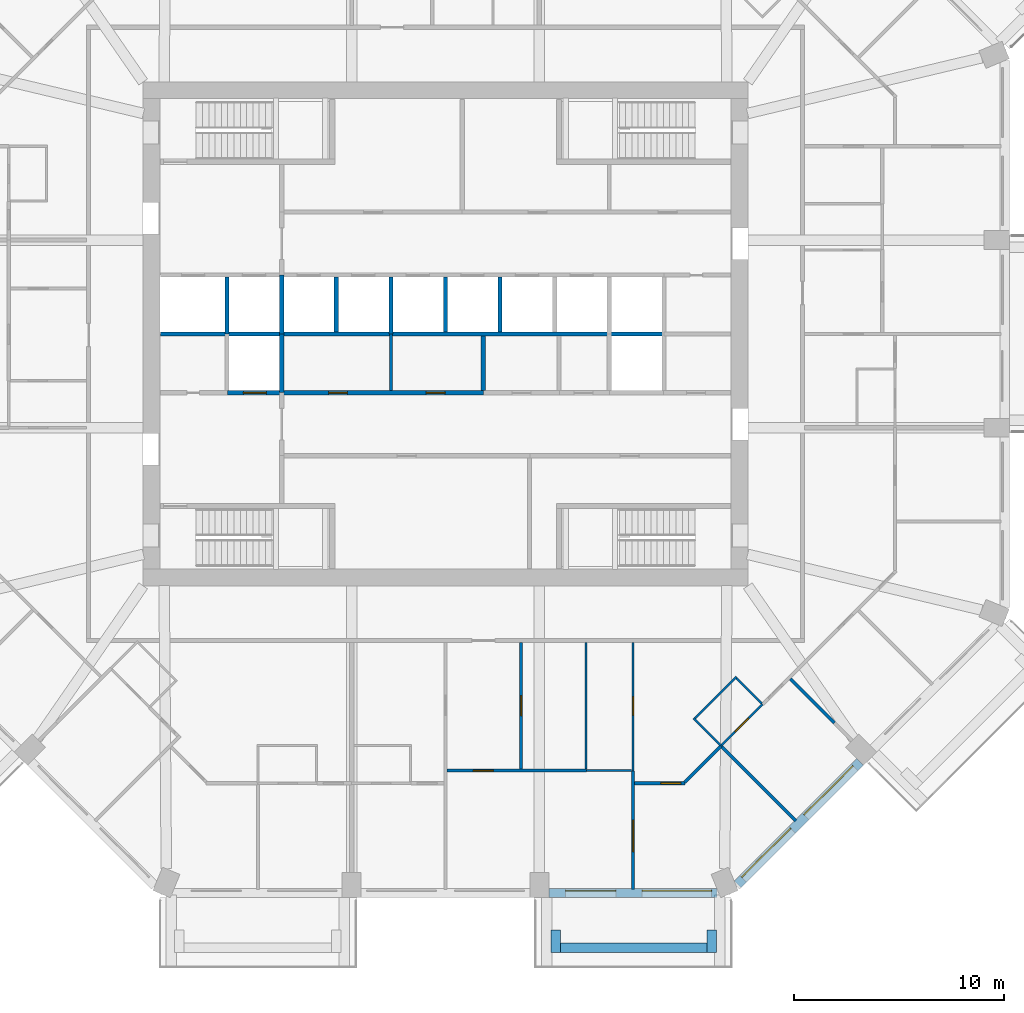
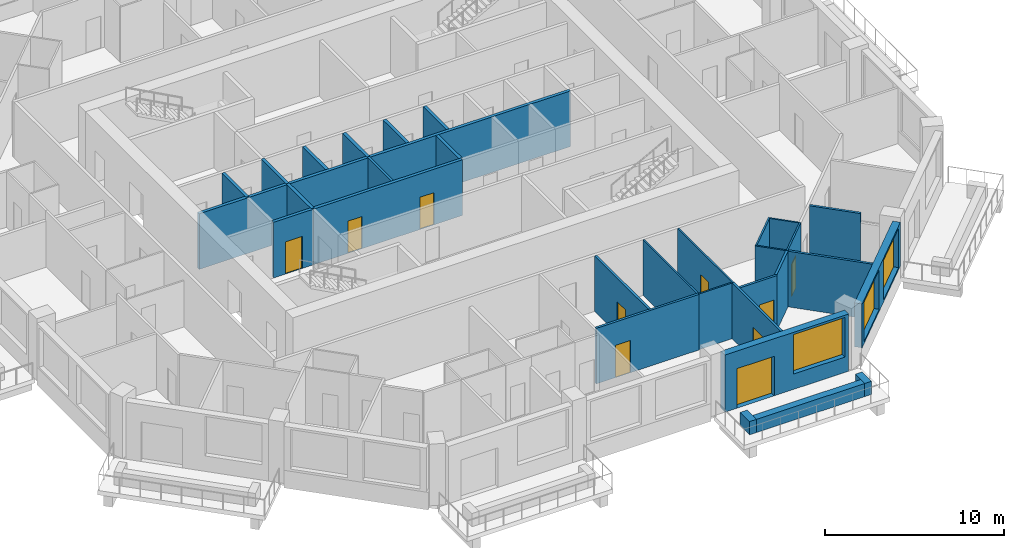
# One storey, part 5 of 13: 31 walls, 10 doors, 3 windows, 13 openings.
"""IFC4 building model written with IfcOpenShell, lengths in metres."""

from ifc_helpers import new_model, si_unit, direction, frame, frame_2d, origin, place, context, subcontext, project, spatial, rectangle, extrude, material, layer, layer_set, type_object, element, fill, save


model = new_model("IFC4")

# Units and contexts
model_context = context("Model", 3, precision=1e-05, world=origin(), true_north=direction((0.0, 1.0)))
body_context = subcontext(model_context, "Body", "Model", "MODEL_VIEW")
ifc_project = project(units=[si_unit("LENGTHUNIT", "METRE"), si_unit("AREAUNIT", "SQUARE_METRE"), si_unit("VOLUMEUNIT", "CUBIC_METRE"), si_unit("PLANEANGLEUNIT", "RADIAN"), si_unit("MASSUNIT", "GRAM", prefix="KILO")], contexts=[model_context])

# Site, building, storey
site_placement = place(None, origin())
site = spatial("IfcSite", under=ifc_project, at=site_placement, CompositionType="ELEMENT")
building_placement = place(site_placement, origin())
building = spatial("IfcBuilding", under=site, at=building_placement, Name="Msitu Wima Residences", CompositionType="ELEMENT")
storey_placement = place(building_placement, frame((0.0, 0.0, 148.5)))
storey = spatial("IfcBuildingStorey", under=building, at=storey_placement, Name="L34", CompositionType="ELEMENT", Elevation=148.5)

# Walls
ifc_material_1 = material(Name="Facing brick")
ifc_layer_1 = layer(ifc_material_1, 0.06494140625, Name="Facing brick")
ifc_material_2 = material(Name="Concrete C40/50", Category="concrete")
ifc_layer_2 = layer(ifc_material_2, 0.156005859375, Name="Concrete C40/50")
ifc_material_3 = material(Name="Waterproofing membrane")
ifc_layer_3 = layer(ifc_material_3, 0.00390625, Name="Waterproofing membrane")
ifc_material_4 = material(Name="Planting soil and planting")
ifc_layer_4 = layer(ifc_material_4, 0.22509765625, Name="Planting soil and planting")
ifc_layer_set_1 = layer_set([ifc_layer_1, ifc_layer_2, ifc_layer_3, ifc_layer_4], Name="Concrete C40/50")
wall_type_1 = type_object("IfcWallType", Name="Balcony planter PLANTER PL450", PredefinedType="USERDEFINED", material=ifc_layer_set_1)
wall_1_placement = place(storey_placement, frame((5.468505859375, -29.22509765625, 0.0), z_axis=(0.0, 0.0, 1.0), x_axis=(1.0, 0.0, 0.0)))
element("IfcWall", 1, at=wall_1_placement, inside=storey, type_object=wall_type_1, Name="Balcony planter S2 L34", ObjectType="PLANTER", PredefinedType="USERDEFINED", context=body_context, shape_type="SweptSolid", body=[
    extrude(rectangle(XDim=6.9873046875, YDim=0.449951171875, at=frame_2d((3.49365234375, 0.0))), origin(), (0.0, 0.0, 1.0), 0.89990234375),
])
for number, where, z_axis, x_axis, name in (
    (2, (5.24365234375, -28.39990234375, 0.0), (0.0, 0.0, 1.0), (0.0, -1.0, 0.0), "Balcony planter S2 L34"),
    (3, (12.680908203125, -28.39990234375, 0.0), (0.0, 0.0, 1.0), (0.0, -1.0, 0.0), "Balcony planter S2 L34"),
):
    element("IfcWall", number, at=place(storey_placement, frame(where, z_axis=z_axis, x_axis=x_axis)), inside=storey, type_object=wall_type_1, Name=name, ObjectType="PLANTER", PredefinedType="USERDEFINED", context=body_context, shape_type="SweptSolid", body=[
        extrude(rectangle(XDim=1.050048828125, YDim=0.449951171875, at=frame_2d((0.52490234375, 0.0))), origin(), (0.0, 0.0, 1.0), 0.89990234375),
    ])

# Wall, openings, door, window
ifc_material_5 = material(Name="Brick (red buff mix)", Category="masonry")
ifc_layer_5 = layer(ifc_material_5, 0.449951171875)
ifc_layer_set_2 = layer_set([ifc_layer_5], Name="Brick (red buff mix)")
wall_type_2 = type_object("IfcWallType", Name="Brick infill wall BW450", PredefinedType="SOLIDWALL", material=ifc_layer_set_2)
wall_2_placement = place(storey_placement, frame((4.918701171875, -26.625, 0.0), z_axis=(0.0, 0.0, 1.0), x_axis=(1.0, 0.0, 0.0)))
wall_2 = element("IfcWall", 4, at=wall_2_placement, inside=storey, type_object=wall_type_2, Name="Brick infill wall L34 S2", PredefinedType="SOLIDWALL", context=body_context, shape_type="SweptSolid", body=[
    extrude(rectangle(XDim=8.0, YDim=0.449951171875, at=frame_2d((4.0, 0.0))), origin(), (0.0, 0.0, 1.0), 3.89990234375),
])
opening_1_placement = place(wall_2_placement, frame((0.800048828125, 0.0, 0.0)))
opening_1 = element("IfcOpeningElement", 5, at=opening_1_placement, cuts=wall_2, Name="Opening D34-35.007", PredefinedType="OPENING", context=body_context, shape_type="SweptSolid", body=[
    extrude(rectangle(XDim=2.39990234375, YDim=2.699951171875, at=frame_2d((1.199951171875, 1.35009765625))), frame((0.0, 0.23486328125, 0.0), z_axis=(0.0, -1.0, 0.0), x_axis=(1.0, 0.0, 0.0)), (0.0, 0.0, 1.0), 0.469970703125),
])
opening_2_placement = place(wall_2_placement, frame((4.4501953125, 0.0, 1.050048828125)))
opening_2 = element("IfcOpeningElement", 6, at=opening_2_placement, cuts=wall_2, Name="Opening W34-35.019", PredefinedType="OPENING", context=body_context, shape_type="SweptSolid", body=[
    extrude(rectangle(XDim=3.300048828125, YDim=2.699951171875, at=frame_2d((1.64990234375, 1.35009765625))), frame((0.0, 0.23486328125, 0.0), z_axis=(0.0, -1.0, 0.0), x_axis=(1.0, 0.0, 0.0)), (0.0, 0.0, 1.0), 0.469970703125),
])
ifc_material_6 = material(Name="Anodised aluminium, bronze finish, clear low-emissivity double glazing", Category="aluminium")
door_type_1 = type_object("IfcDoorType", Name="Balcony door D2400x2700", OperationType="SLIDING_TO_LEFT", PredefinedType="DOOR", material=ifc_material_6)
door_1_placement = place(opening_1_placement, origin())
door_1 = element("IfcDoor", 7, at=door_1_placement, inside=storey, type_object=door_type_1, Name="Balcony door L34 S2", OperationType="SINGLE_SWING_LEFT", OverallHeight=2.699951171875, OverallWidth=2.39990234375, PredefinedType="DOOR", context=body_context, shape_type="SweptSolid", body=[
    extrude(rectangle(XDim=2.39990234375, YDim=2.699951171875, at=frame_2d((1.199951171875, 1.35009765625))), frame((0.0, 0.1298828125, 0.0), z_axis=(0.0, -1.0, 0.0), x_axis=(1.0, 0.0, 0.0)), (0.0, 0.0, 1.0), 0.050048828125),
])
fill(opening_1, door_1)
window_type = type_object("IfcWindowType", Name="Window W3300x2700", PartitioningType="DOUBLE_PANEL_VERTICAL", PredefinedType="WINDOW", material=ifc_material_6)
window_1_placement = place(opening_2_placement, origin())
window_1 = element("IfcWindow", 8, at=window_1_placement, inside=storey, type_object=window_type, Name="Window L34 S2.2", OverallHeight=2.699951171875, OverallWidth=3.300048828125, PartitioningType="SINGLE_PANEL", PredefinedType="WINDOW", context=body_context, shape_type="SweptSolid", body=[
    extrude(rectangle(XDim=3.300048828125, YDim=2.699951171875, at=frame_2d((1.64990234375, 1.35009765625))), frame((0.0, 0.135009765625, 0.0), z_axis=(0.0, -1.0, 0.0), x_axis=(1.0, 0.0, 0.0)), (0.0, 0.0, 1.0), 0.06005859375),
])
fill(opening_2, window_1)

# Wall, openings, windows
wall_3_placement = place(storey_placement, frame((13.909423828125, -26.214599609375, 0.89990234375), z_axis=(0.0, 0.0, 1.0), x_axis=(0.707106781187, 0.707106781187, 0.0)))
wall_3 = element("IfcWall", 9, at=wall_3_placement, inside=storey, type_object=wall_type_2, Name="Brick infill wall L34 SE0", PredefinedType="SOLIDWALL", context=body_context, shape_type="SweptSolid", body=[
    extrude(rectangle(XDim=8.251220703125, YDim=0.449951171875, at=frame_2d((4.12548828125, 0.0))), origin(), (0.0, 0.0, 1.0), 3.0),
])
opening_3_placement = place(wall_3_placement, frame((0.37548828125, 0.0, 0.14990234375)))
opening_3 = element("IfcOpeningElement", 10, at=opening_3_placement, cuts=wall_3, Name="Opening W34-35.020", PredefinedType="OPENING", context=body_context, shape_type="SweptSolid", body=[
    extrude(rectangle(XDim=3.300048828125, YDim=2.699951171875, at=frame_2d((1.64990234375, 1.35009765625))), frame((0.0, 0.23486328125, 0.0), z_axis=(0.0, -1.0, 0.0), x_axis=(1.0, 0.0, 0.0)), (0.0, 0.0, 1.0), 0.469970703125),
])
opening_4_placement = place(wall_3_placement, frame((4.57568359375, 0.0, 0.14990234375)))
opening_4 = element("IfcOpeningElement", 11, at=opening_4_placement, cuts=wall_3, Name="Opening W34-35.021", PredefinedType="OPENING", context=body_context, shape_type="SweptSolid", body=[
    extrude(rectangle(XDim=3.300048828125, YDim=2.699951171875, at=frame_2d((1.64990234375, 1.35009765625))), frame((0.0, 0.23486328125, 0.0), z_axis=(0.0, -1.0, 0.0), x_axis=(1.0, 0.0, 0.0)), (0.0, 0.0, 1.0), 0.469970703125),
])
window_2_placement = place(opening_3_placement, origin())
window_2 = element("IfcWindow", 12, at=window_2_placement, inside=storey, type_object=window_type, Name="Window L34 SE0.1", OverallHeight=2.699951171875, OverallWidth=3.300048828125, PartitioningType="SINGLE_PANEL", PredefinedType="WINDOW", context=body_context, shape_type="SweptSolid", body=[
    extrude(rectangle(XDim=3.300048828125, YDim=2.699951171875, at=frame_2d((1.64990234375, 1.35009765625))), frame((0.0, 0.135009765625, 0.0), z_axis=(0.0, -1.0, 0.0), x_axis=(1.0, 0.0, 0.0)), (0.0, 0.0, 1.0), 0.06005859375),
])
fill(opening_3, window_2)
window_3_placement = place(opening_4_placement, origin())
window_3 = element("IfcWindow", 13, at=window_3_placement, inside=storey, type_object=window_type, Name="Window L34 SE0.2", OverallHeight=2.699951171875, OverallWidth=3.300048828125, PartitioningType="SINGLE_PANEL", PredefinedType="WINDOW", context=body_context, shape_type="SweptSolid", body=[
    extrude(rectangle(XDim=3.300048828125, YDim=2.699951171875, at=frame_2d((1.64990234375, 1.35009765625))), frame((0.0, 0.135009765625, 0.0), z_axis=(0.0, -1.0, 0.0), x_axis=(1.0, 0.0, 0.0)), (0.0, 0.0, 1.0), 0.06005859375),
])
fill(opening_4, window_3)

# Wall, openings, doors
ifc_material_7 = material(Name="Plaster")
ifc_layer_6 = layer(ifc_material_7, 0.011962890625, Name="Plaster")
ifc_material_8 = material(Name="Concrete blockwork", Category="masonry")
ifc_layer_7 = layer(ifc_material_8, 0.176025390625, Name="Concrete blockwork")
ifc_layer_8 = layer(ifc_material_7, 0.011962890625, Name="Plaster")
ifc_layer_set_3 = layer_set([ifc_layer_6, ifc_layer_7, ifc_layer_8], Name="Concrete blockwork")
wall_type_3 = type_object("IfcWallType", Name="Corridor wall FW200", PredefinedType="PARTITIONING", material=ifc_layer_set_3)
wall_4_placement = place(storey_placement, frame((-7.820068359375, -2.800048828125, 0.0), z_axis=(0.0, 0.0, 1.0), x_axis=(1.0, 0.0, 0.0)))
wall_4 = element("IfcWall", 14, at=wall_4_placement, inside=storey, type_object=wall_type_3, Name="Corridor wall", PredefinedType="PARTITIONING", context=body_context, shape_type="SweptSolid", body=[
    extrude(rectangle(XDim=9.64013671875, YDim=0.199951171875, at=frame_2d((4.820068359375, 0.0))), origin(), (0.0, 0.0, 1.0), 3.798095703125),
])
opening_5_placement = place(wall_4_placement, frame((2.25, 0.0, 0.0)))
opening_5 = element("IfcOpeningElement", 15, at=opening_5_placement, cuts=wall_4, Name="Opening D34-35.029", PredefinedType="OPENING", context=body_context, shape_type="SweptSolid", body=[
    extrude(rectangle(XDim=0.89990234375, YDim=2.199951171875, at=frame_2d((0.449951171875, 1.10009765625))), frame((0.0, 0.10986328125, 0.0), z_axis=(0.0, -1.0, 0.0), x_axis=(1.0, 0.0, 0.0)), (0.0, 0.0, 1.0), 0.219970703125),
])
opening_6_placement = place(wall_4_placement, frame((6.89990234375, 0.0, 0.0)))
opening_6 = element("IfcOpeningElement", 16, at=opening_6_placement, cuts=wall_4, Name="Opening D34-35.030", PredefinedType="OPENING", context=body_context, shape_type="SweptSolid", body=[
    extrude(rectangle(XDim=0.89990234375, YDim=2.199951171875, at=frame_2d((0.449951171875, 1.10009765625))), frame((0.0, 0.10986328125, 0.0), z_axis=(0.0, -1.0, 0.0), x_axis=(1.0, 0.0, 0.0)), (0.0, 0.0, 1.0), 0.219970703125),
])
ifc_material_9 = material(Name="Timber flush door", Category="wood")
door_type_2 = type_object("IfcDoorType", Name="Service door D05 900x2200", OperationType="SINGLE_SWING_LEFT", PredefinedType="DOOR", material=ifc_material_9)
door_2_placement = place(opening_5_placement, origin())
door_2 = element("IfcDoor", 17, at=door_2_placement, inside=storey, type_object=door_type_2, Name="Service door", OperationType="SINGLE_SWING_RIGHT", OverallHeight=2.199951171875, OverallWidth=0.89990234375, PredefinedType="DOOR", context=body_context, shape_type="SweptSolid", body=[
    extrude(rectangle(XDim=0.89990234375, YDim=2.199951171875, at=frame_2d((0.449951171875, 1.10009765625))), frame((0.0, 0.02490234375, 0.0), z_axis=(0.0, -1.0, 0.0), x_axis=(1.0, 0.0, 0.0)), (0.0, 0.0, 1.0), 0.050048828125),
])
fill(opening_5, door_2)
door_3_placement = place(opening_6_placement, origin())
door_3 = element("IfcDoor", 18, at=door_3_placement, inside=storey, type_object=door_type_2, Name="Service door", OperationType="SINGLE_SWING_LEFT", OverallHeight=2.199951171875, OverallWidth=0.89990234375, PredefinedType="DOOR", context=body_context, shape_type="SweptSolid", body=[
    extrude(rectangle(XDim=0.89990234375, YDim=2.199951171875, at=frame_2d((0.449951171875, 1.10009765625))), frame((0.0, 0.02490234375, 0.0), z_axis=(0.0, -1.0, 0.0), x_axis=(1.0, 0.0, 0.0)), (0.0, 0.0, 1.0), 0.050048828125),
])
fill(opening_6, door_3)

# Wall
ifc_layer_9 = layer(ifc_material_7, 0.011962890625, Name="Plaster")
ifc_layer_10 = layer(ifc_material_8, 0.1259765625, Name="Concrete blockwork")
ifc_layer_11 = layer(ifc_material_7, 0.011962890625, Name="Plaster")
ifc_layer_set_4 = layer_set([ifc_layer_9, ifc_layer_10, ifc_layer_11], Name="Concrete blockwork")
wall_type_4 = type_object("IfcWallType", Name="Partition PW150", PredefinedType="PARTITIONING", material=ifc_layer_set_4)
wall_5_placement = place(storey_placement, frame((-2.60009765625, -2.699951171875, 0.0), z_axis=(0.0, 0.0, 1.0), x_axis=(0.0, 1.0, 0.0)))
element("IfcWall", 19, at=wall_5_placement, inside=storey, type_object=wall_type_4, Name="Partition", PredefinedType="PARTITIONING", context=body_context, shape_type="SweptSolid", body=[
    extrude(rectangle(XDim=2.699951171875, YDim=0.14990234375, at=frame_2d((1.35009765625, 0.0))), origin(), (0.0, 0.0, 1.0), 3.798095703125),
])

# Wall, opening, door
wall_6_placement = place(storey_placement, frame((0.074951171875, -20.800048828125, 0.0), z_axis=(0.0, 0.0, 1.0), x_axis=(1.0, 0.0, 0.0)))
wall_6 = element("IfcWall", 20, at=wall_6_placement, inside=storey, type_object=wall_type_4, Name="Partition", PredefinedType="PARTITIONING", context=body_context, shape_type="SweptSolid", body=[
    extrude(rectangle(XDim=6.64501953125, YDim=0.14990234375, at=frame_2d((3.322509765625, 0.0))), origin(), (0.0, 0.0, 1.0), 3.798095703125),
])
opening_7_placement = place(wall_6_placement, frame((1.25, 0.0, 0.0)))
opening_7 = element("IfcOpeningElement", 21, at=opening_7_placement, cuts=wall_6, Name="Opening D34-35.073", PredefinedType="OPENING", context=body_context, shape_type="SweptSolid", body=[
    extrude(rectangle(XDim=0.949951171875, YDim=2.199951171875, at=frame_2d((0.47509765625, 1.10009765625))), frame((0.0, 0.0849609375, 0.0), z_axis=(0.0, -1.0, 0.0), x_axis=(1.0, 0.0, 0.0)), (0.0, 0.0, 1.0), 0.169921875),
])
door_type_3 = type_object("IfcDoorType", Name="Room door D12 950x2200", OperationType="SINGLE_SWING_LEFT", PredefinedType="DOOR", material=ifc_material_9)
door_4_placement = place(opening_7_placement, origin())
door_4 = element("IfcDoor", 22, at=door_4_placement, inside=storey, type_object=door_type_3, Name="Room door", OperationType="SINGLE_SWING_RIGHT", OverallHeight=2.199951171875, OverallWidth=0.949951171875, PredefinedType="DOOR", context=body_context, shape_type="SweptSolid", body=[
    extrude(rectangle(XDim=0.949951171875, YDim=2.199951171875, at=frame_2d((0.47509765625, 1.10009765625))), frame((0.0, 0.02490234375, 0.0), z_axis=(0.0, -1.0, 0.0), x_axis=(1.0, 0.0, 0.0)), (0.0, 0.0, 1.0), 0.050048828125),
])
fill(opening_7, door_4)

wall_7_placement = place(storey_placement, frame((3.60009765625, -20.72509765625, 0.0), z_axis=(0.0, 0.0, 1.0), x_axis=(0.0, 1.0, 0.0)))
wall_7 = element("IfcWall", 23, at=wall_7_placement, inside=storey, type_object=wall_type_4, Name="Partition", PredefinedType="PARTITIONING", context=body_context, shape_type="SweptSolid", body=[
    extrude(rectangle(XDim=6.025146484375, YDim=0.14990234375, at=frame_2d((3.0126953125, 0.0))), origin(), (0.0, 0.0, 1.0), 3.798095703125),
])
opening_8_placement = place(wall_7_placement, frame((2.550048828125, 0.0, 0.0)))
opening_8 = element("IfcOpeningElement", 24, at=opening_8_placement, cuts=wall_7, Name="Opening D34-35.076", PredefinedType="OPENING", context=body_context, shape_type="SweptSolid", body=[
    extrude(rectangle(XDim=0.949951171875, YDim=2.199951171875, at=frame_2d((0.47509765625, 1.10009765625))), frame((0.0, 0.0849609375, 0.0), z_axis=(0.0, -1.0, 0.0), x_axis=(1.0, 0.0, 0.0)), (0.0, 0.0, 1.0), 0.169921875),
])
door_5_placement = place(opening_8_placement, origin())
door_5 = element("IfcDoor", 25, at=door_5_placement, inside=storey, type_object=door_type_3, Name="Room door", OperationType="SINGLE_SWING_LEFT", OverallHeight=2.199951171875, OverallWidth=0.949951171875, PredefinedType="DOOR", context=body_context, shape_type="SweptSolid", body=[
    extrude(rectangle(XDim=0.949951171875, YDim=2.199951171875, at=frame_2d((0.47509765625, 1.10009765625))), frame((0.0, 0.02490234375, 0.0), z_axis=(0.0, -1.0, 0.0), x_axis=(1.0, 0.0, 0.0)), (0.0, 0.0, 1.0), 0.050048828125),
])
fill(opening_8, door_5)

wall_8_placement = place(storey_placement, frame((8.937255859375, -26.455078125, 0.0), z_axis=(0.0, 0.0, 1.0), x_axis=(0.0, 1.0, 0.0)))
wall_8 = element("IfcWall", 26, at=wall_8_placement, inside=storey, type_object=wall_type_4, Name="Partition", PredefinedType="PARTITIONING", context=body_context, shape_type="SweptSolid", body=[
    extrude(rectangle(XDim=5.635009765625, YDim=0.14990234375, at=frame_2d((2.8173828125, 0.0))), origin(), (0.0, 0.0, 1.0), 3.798095703125),
])
opening_9_placement = place(wall_8_placement, frame((1.800048828125, 0.0, 0.0)))
opening_9 = element("IfcOpeningElement", 27, at=opening_9_placement, cuts=wall_8, Name="Opening D34-35.077", PredefinedType="OPENING", context=body_context, shape_type="SweptSolid", body=[
    extrude(rectangle(XDim=1.5, YDim=2.199951171875, at=frame_2d((0.75, 1.10009765625))), frame((0.0, 0.0849609375, 0.0), z_axis=(0.0, -1.0, 0.0), x_axis=(1.0, 0.0, 0.0)), (0.0, 0.0, 1.0), 0.169921875),
])
ifc_material_10 = material(Name="Timber double door", Category="wood")
door_type_4 = type_object("IfcDoorType", Name="Double door D04 1500x2200", OperationType="DOUBLE_DOOR_SINGLE_SWING", PredefinedType="DOOR", material=ifc_material_10)
door_6_placement = place(opening_9_placement, origin())
door_6 = element("IfcDoor", 28, at=door_6_placement, inside=storey, type_object=door_type_4, Name="Double door", OperationType="DOUBLE_DOOR_SINGLE_SWING", OverallHeight=2.199951171875, OverallWidth=1.5, PredefinedType="DOOR", context=body_context, shape_type="SweptSolid", body=[
    extrude(rectangle(XDim=1.5, YDim=2.199951171875, at=frame_2d((0.75, 1.10009765625))), frame((0.0, 0.02490234375, 0.0), z_axis=(0.0, -1.0, 0.0), x_axis=(1.0, 0.0, 0.0)), (0.0, 0.0, 1.0), 0.050048828125),
])
fill(opening_9, door_6)

wall_9_placement = place(storey_placement, frame((9.01220703125, -21.39990234375, 0.0), z_axis=(0.0, 0.0, 1.0), x_axis=(1.0, 0.0, 0.0)))
wall_9 = element("IfcWall", 29, at=wall_9_placement, inside=storey, type_object=wall_type_4, Name="Partition", PredefinedType="PARTITIONING", context=body_context, shape_type="SweptSolid", body=[
    extrude(rectangle(XDim=2.397705078125, YDim=0.14990234375, at=frame_2d((1.19873046875, 0.0))), origin(), (0.0, 0.0, 1.0), 3.798095703125),
])
opening_10_placement = place(wall_9_placement, frame((1.25, 0.0, 0.0)))
opening_10 = element("IfcOpeningElement", 30, at=opening_10_placement, cuts=wall_9, Name="Opening D34-35.078", PredefinedType="OPENING", context=body_context, shape_type="SweptSolid", body=[
    extrude(rectangle(XDim=0.949951171875, YDim=2.199951171875, at=frame_2d((0.47509765625, 1.10009765625))), frame((0.0, 0.0849609375, 0.0), z_axis=(0.0, -1.0, 0.0), x_axis=(1.0, 0.0, 0.0)), (0.0, 0.0, 1.0), 0.169921875),
])
door_7_placement = place(opening_10_placement, origin())
door_7 = element("IfcDoor", 31, at=door_7_placement, inside=storey, type_object=door_type_3, Name="Room door", OperationType="SINGLE_SWING_RIGHT", OverallHeight=2.199951171875, OverallWidth=0.949951171875, PredefinedType="DOOR", context=body_context, shape_type="SweptSolid", body=[
    extrude(rectangle(XDim=0.949951171875, YDim=2.199951171875, at=frame_2d((0.47509765625, 1.10009765625))), frame((0.0, 0.02490234375, 0.0), z_axis=(0.0, -1.0, 0.0), x_axis=(1.0, 0.0, 0.0)), (0.0, 0.0, 1.0), 0.050048828125),
])
fill(opening_10, door_7)

# Walls
wall_10_placement = place(storey_placement, frame((11.387939453125, -21.346923828125, 0.0), z_axis=(0.0, 0.0, 1.0), x_axis=(0.707106781187, 0.707106781187, 0.0)))
element("IfcWall", 32, at=wall_10_placement, inside=storey, type_object=wall_type_4, Name="Partition", PredefinedType="PARTITIONING", context=body_context, shape_type="SweptSolid", body=[
    extrude(rectangle(XDim=2.447998046875, YDim=0.14990234375, at=frame_2d((1.22412109375, 0.0))), origin(), (0.0, 0.0, 1.0), 3.798095703125),
])
wall_11_placement = place(storey_placement, frame((13.104736328125, -19.601806640625, 0.0), z_axis=(0.0, 0.0, 1.0), x_axis=(0.707106781187, -0.707106781187, 0.0)))
element("IfcWall", 33, at=wall_11_placement, inside=storey, type_object=wall_type_4, Name="Partition", PredefinedType="PARTITIONING", context=body_context, shape_type="SweptSolid", body=[
    extrude(rectangle(XDim=5.0751953125, YDim=0.14990234375, at=frame_2d((2.53759765625, 0.0))), origin(), (0.0, 0.0, 1.0), 3.798095703125),
])
wall_12_placement = place(storey_placement, frame((16.42041015625, -16.42041015625, 0.0), z_axis=(0.0, 0.0, 1.0), x_axis=(0.707106781187, -0.707106781187, 0.0)))
element("IfcWall", 34, at=wall_12_placement, inside=storey, type_object=wall_type_4, Name="Partition", PredefinedType="PARTITIONING", context=body_context, shape_type="SweptSolid", body=[
    extrude(rectangle(XDim=2.9658203125, YDim=0.14990234375, at=frame_2d((1.48291015625, 0.0))), origin(), (0.0, 0.0, 1.0), 3.798095703125),
])
ifc_layer_12 = layer(ifc_material_7, 0.011962890625, Name="Plaster")
ifc_material_11 = material(Name="Reinforced concrete blockwork", Category="masonry")
ifc_layer_13 = layer(ifc_material_11, 0.176025390625, Name="Reinforced concrete blockwork")
ifc_layer_14 = layer(ifc_material_7, 0.011962890625, Name="Plaster")
ifc_layer_set_5 = layer_set([ifc_layer_12, ifc_layer_13, ifc_layer_14], Name="Reinforced concrete blockwork")
wall_type_5 = type_object("IfcWallType", Name="Plant and riser wall PL200", PredefinedType="PARTITIONING", material=ifc_layer_set_5)
wall_13_placement = place(storey_placement, frame((1.800048828125, -2.699951171875, 0.0), z_axis=(0.0, 0.0, 1.0), x_axis=(0.0, 1.0, 0.0)))
element("IfcWall", 35, at=wall_13_placement, inside=storey, type_object=wall_type_5, Name="Plant and riser wall", PredefinedType="PARTITIONING", context=body_context, shape_type="SweptSolid", body=[
    extrude(rectangle(XDim=2.599853515625, YDim=0.199951171875, at=frame_2d((1.2998046875, 0.0))), origin(), (0.0, 0.0, 1.0), 3.798095703125),
])
ifc_material_12 = material(Name="Fire-rated board")
ifc_layer_15 = layer(ifc_material_12, 0.02490234375, Name="Fire-rated board")
ifc_material_13 = material(Name="Light-gauge stud framing with mineral wool")
ifc_layer_16 = layer(ifc_material_13, 0.14990234375, Name="Light-gauge stud framing with mineral wool")
ifc_layer_17 = layer(ifc_material_12, 0.02490234375, Name="Fire-rated board")
ifc_layer_set_6 = layer_set([ifc_layer_15, ifc_layer_16, ifc_layer_17], Name="Light-gauge stud framing with mineral wool")
wall_type_6 = type_object("IfcWallType", Name="Shaft wall SH200", PredefinedType="PARTITIONING", material=ifc_layer_set_6)
wall_14_placement = place(storey_placement, frame((-13.570068359375, 0.0, 0.0), z_axis=(0.0, 0.0, 1.0), x_axis=(1.0, 0.0, 0.0)))
element("IfcWall", 36, at=wall_14_placement, inside=storey, type_object=wall_type_6, Name="Shaft wall", PredefinedType="PARTITIONING", context=body_context, shape_type="SweptSolid", body=[
    extrude(rectangle(XDim=23.969970703125, YDim=0.199951171875, at=frame_2d((11.98486328125, 0.0))), origin(), (0.0, 0.0, 1.0), 3.798095703125),
])

# Wall, opening, door
wall_15_placement = place(storey_placement, frame((-10.3798828125, -2.800048828125, 0.0), z_axis=(0.0, 0.0, 1.0), x_axis=(1.0, 0.0, 0.0)))
wall_15 = element("IfcWall", 37, at=wall_15_placement, inside=storey, type_object=wall_type_6, Name="Shaft wall", PredefinedType="PARTITIONING", context=body_context, shape_type="SweptSolid", body=[
    extrude(rectangle(XDim=2.559814453125, YDim=0.199951171875, at=frame_2d((1.27978515625, 0.0))), origin(), (0.0, 0.0, 1.0), 3.798095703125),
])
opening_11_placement = place(wall_15_placement, frame((0.75, 0.0, 0.0)))
opening_11 = element("IfcOpeningElement", 38, at=opening_11_placement, cuts=wall_15, Name="Opening LD", PredefinedType="OPENING", context=body_context, shape_type="SweptSolid", body=[
    extrude(rectangle(XDim=1.10009765625, YDim=2.199951171875, at=frame_2d((0.550048828125, 1.10009765625))), frame((0.0, 0.10986328125, 0.0), z_axis=(0.0, -1.0, 0.0), x_axis=(1.0, 0.0, 0.0)), (0.0, 0.0, 1.0), 0.219970703125),
])
ifc_material_14 = material(Name="Stainless steel centre-opening landing door, rated", Category="steel")
door_type_5 = type_object("IfcDoorType", Name="Lift landing door LD 1100x2200", OperationType="DOUBLE_DOOR_SLIDING", PredefinedType="DOOR", material=ifc_material_14)
door_8_placement = place(opening_11_placement, origin())
door_8 = element("IfcDoor", 39, at=door_8_placement, inside=storey, type_object=door_type_5, Name="Lift landing door LD3", OperationType="DOUBLE_DOOR_SLIDING", OverallHeight=2.199951171875, OverallWidth=1.10009765625, PredefinedType="DOOR", context=body_context, shape_type="SweptSolid", body=[
    extrude(rectangle(XDim=1.10009765625, YDim=2.199951171875, at=frame_2d((0.550048828125, 1.10009765625))), frame((0.0, 0.02490234375, 0.0), z_axis=(0.0, -1.0, 0.0), x_axis=(1.0, 0.0, 0.0)), (0.0, 0.0, 1.0), 0.050048828125),
])
fill(opening_11, door_8)

# Walls
wall_16_placement = place(storey_placement, frame((-10.39990234375, 0.0, 0.0), z_axis=(0.0, 0.0, 1.0), x_axis=(0.0, 1.0, 0.0)))
element("IfcWall", 40, at=wall_16_placement, inside=storey, type_object=wall_type_6, Name="Shaft wall", PredefinedType="PARTITIONING", context=body_context, shape_type="SweptSolid", body=[
    extrude(rectangle(XDim=2.699951171875, YDim=0.199951171875, at=frame_2d((1.35009765625, 0.0))), origin(), (0.0, 0.0, 1.0), 3.798095703125),
])
for number, where, z_axis, x_axis, name in (
    (41, (-7.800048828125, -2.800048828125, 0.0), (0.0, 0.0, 1.0), (0.0, 1.0, 0.0), "Shaft wall"),
    (42, (-7.800048828125, 0.0, 0.0), (0.0, 0.0, 1.0), (0.0, 1.0, 0.0), "Shaft wall"),
):
    element("IfcWall", number, at=place(storey_placement, frame(where, z_axis=z_axis, x_axis=x_axis)), inside=storey, type_object=wall_type_6, Name=name, PredefinedType="PARTITIONING", context=body_context, shape_type="SweptSolid", body=[
        extrude(rectangle(XDim=2.800048828125, YDim=0.199951171875, at=frame_2d((1.39990234375, 0.0))), origin(), (0.0, 0.0, 1.0), 3.798095703125),
    ])
wall_17_placement = place(storey_placement, frame((-5.199951171875, 0.10009765625, 0.0), z_axis=(0.0, 0.0, 1.0), x_axis=(0.0, 1.0, 0.0)))
element("IfcWall", 43, at=wall_17_placement, inside=storey, type_object=wall_type_6, Name="Shaft wall", PredefinedType="PARTITIONING", context=body_context, shape_type="SweptSolid", body=[
    extrude(rectangle(XDim=2.599853515625, YDim=0.199951171875, at=frame_2d((1.2998046875, 0.0))), origin(), (0.0, 0.0, 1.0), 3.798095703125),
])
wall_18_placement = place(storey_placement, frame((-2.60009765625, 0.0, 0.0), z_axis=(0.0, 0.0, 1.0), x_axis=(0.0, 1.0, 0.0)))
element("IfcWall", 44, at=wall_18_placement, inside=storey, type_object=wall_type_6, Name="Shaft wall", PredefinedType="PARTITIONING", context=body_context, shape_type="SweptSolid", body=[
    extrude(rectangle(XDim=2.699951171875, YDim=0.199951171875, at=frame_2d((1.35009765625, 0.0))), origin(), (0.0, 0.0, 1.0), 3.798095703125),
])
for number, where, z_axis, x_axis, name in (
    (45, (0.0, 0.10009765625, 0.0), (0.0, 0.0, 1.0), (0.0, 1.0, 0.0), "Shaft wall"),
    (46, (2.60009765625, 0.10009765625, 0.0), (0.0, 0.0, 1.0), (0.0, 1.0, 0.0), "Shaft wall"),
):
    element("IfcWall", number, at=place(storey_placement, frame(where, z_axis=z_axis, x_axis=x_axis)), inside=storey, type_object=wall_type_6, Name=name, PredefinedType="PARTITIONING", context=body_context, shape_type="SweptSolid", body=[
        extrude(rectangle(XDim=2.599853515625, YDim=0.199951171875, at=frame_2d((1.2998046875, 0.0))), origin(), (0.0, 0.0, 1.0), 3.798095703125),
    ])
ifc_material_15 = material(Name="Ceramic tiles")
ifc_layer_18 = layer(ifc_material_15, 0.008056640625, Name="Ceramic tiles")
ifc_material_16 = material(Name="Moisture-resistant board")
ifc_layer_19 = layer(ifc_material_16, 0.012451171875, Name="Moisture-resistant board")
ifc_layer_20 = layer(ifc_material_13, 0.06689453125, Name="Light-gauge stud framing with mineral wool")
ifc_layer_21 = layer(ifc_material_16, 0.012451171875, Name="Moisture-resistant board")
ifc_layer_set_7 = layer_set([ifc_layer_18, ifc_layer_19, ifc_layer_20, ifc_layer_21], Name="Light-gauge stud framing with mineral wool")
wall_type_7 = type_object("IfcWallType", Name="Wet wall PW100", PredefinedType="PARTITIONING", material=ifc_layer_set_7)
wall_19_placement = place(storey_placement, frame((6.719970703125, -20.800048828125, 0.0), z_axis=(0.0, 0.0, 1.0), x_axis=(1.0, 0.0, 0.0)))
element("IfcWall", 47, at=wall_19_placement, inside=storey, type_object=wall_type_7, Name="Wet wall", PredefinedType="PARTITIONING", context=body_context, shape_type="SweptSolid", body=[
    extrude(rectangle(XDim=2.142333984375, YDim=0.10009765625, at=frame_2d((1.0712890625, 0.0))), origin(), (0.0, 0.0, 1.0), 3.798095703125),
])
wall_20_placement = place(storey_placement, frame((6.699951171875, -20.72509765625, 0.0), z_axis=(0.0, 0.0, 1.0), x_axis=(0.0, 1.0, 0.0)))
element("IfcWall", 48, at=wall_20_placement, inside=storey, type_object=wall_type_7, Name="Wet wall", PredefinedType="PARTITIONING", context=body_context, shape_type="SweptSolid", body=[
    extrude(rectangle(XDim=6.025146484375, YDim=0.10009765625, at=frame_2d((3.0126953125, 0.0))), origin(), (0.0, 0.0, 1.0), 3.798095703125),
])

# Wall, opening, door
wall_21_placement = place(storey_placement, frame((8.937255859375, -20.820068359375, 0.0), z_axis=(0.0, 0.0, 1.0), x_axis=(0.0, 1.0, 0.0)))
wall_21 = element("IfcWall", 49, at=wall_21_placement, inside=storey, type_object=wall_type_7, Name="Wet wall", PredefinedType="PARTITIONING", context=body_context, shape_type="SweptSolid", body=[
    extrude(rectangle(XDim=6.1201171875, YDim=0.10009765625, at=frame_2d((3.06005859375, 0.0))), origin(), (0.0, 0.0, 1.0), 3.798095703125),
])
opening_12_placement = place(wall_21_placement, frame((2.64990234375, 0.0, 0.0)))
opening_12 = element("IfcOpeningElement", 50, at=opening_12_placement, cuts=wall_21, Name="Opening D34-35.084", PredefinedType="OPENING", context=body_context, shape_type="SweptSolid", body=[
    extrude(rectangle(XDim=0.89990234375, YDim=2.199951171875, at=frame_2d((0.449951171875, 1.10009765625))), frame((0.0, 0.06005859375, 0.0), z_axis=(0.0, -1.0, 0.0), x_axis=(1.0, 0.0, 0.0)), (0.0, 0.0, 1.0), 0.1201171875),
])
ifc_material_17 = material(Name="Timber flush door, moisture resistant", Category="wood")
door_type_6 = type_object("IfcDoorType", Name="Bathroom door D03 900x2200", OperationType="SINGLE_SWING_LEFT", PredefinedType="DOOR", material=ifc_material_17)
door_9_placement = place(opening_12_placement, origin())
door_9 = element("IfcDoor", 51, at=door_9_placement, inside=storey, type_object=door_type_6, Name="Bathroom door", OperationType="SINGLE_SWING_RIGHT", OverallHeight=2.199951171875, OverallWidth=0.89990234375, PredefinedType="DOOR", context=body_context, shape_type="SweptSolid", body=[
    extrude(rectangle(XDim=0.89990234375, YDim=2.199951171875, at=frame_2d((0.449951171875, 1.10009765625))), frame((0.0, 0.02490234375, 0.0), z_axis=(0.0, -1.0, 0.0), x_axis=(1.0, 0.0, 0.0)), (0.0, 0.0, 1.0), 0.050048828125),
])
fill(opening_12, door_9)

# Walls
wall_22_placement = place(storey_placement, frame((11.810791015625, -18.307861328125, 0.0), z_axis=(0.0, 0.0, 1.0), x_axis=(0.707106781187, -0.707106781187, 0.0)))
element("IfcWall", 52, at=wall_22_placement, inside=storey, type_object=wall_type_7, Name="Wet wall", PredefinedType="PARTITIONING", context=body_context, shape_type="SweptSolid", body=[
    extrude(rectangle(XDim=1.829833984375, YDim=0.10009765625, at=frame_2d((0.9150390625, 0.0))), origin(), (0.0, 0.0, 1.0), 3.798095703125),
])
wall_23_placement = place(storey_placement, frame((11.88134765625, -18.307861328125, 0.0), z_axis=(0.0, 0.0, 1.0), x_axis=(0.707106781187, 0.707106781187, 0.0)))
element("IfcWall", 53, at=wall_23_placement, inside=storey, type_object=wall_type_7, Name="Wet wall", PredefinedType="PARTITIONING", context=body_context, shape_type="SweptSolid", body=[
    extrude(rectangle(XDim=2.800048828125, YDim=0.10009765625, at=frame_2d((1.39990234375, 0.0))), origin(), (0.0, 0.0, 1.0), 3.798095703125),
])

# Wall, opening, door
wall_24_placement = place(storey_placement, frame((13.118896484375, -19.615966796875, 0.0), z_axis=(0.0, 0.0, 1.0), x_axis=(0.707106781187, 0.707106781187, 0.0)))
wall_24 = element("IfcWall", 54, at=wall_24_placement, inside=storey, type_object=wall_type_7, Name="Wet wall", PredefinedType="PARTITIONING", context=body_context, shape_type="SweptSolid", body=[
    extrude(rectangle(XDim=2.800048828125, YDim=0.10009765625, at=frame_2d((1.39990234375, 0.0))), origin(), (0.0, 0.0, 1.0), 3.798095703125),
])
opening_13_placement = place(wall_24_placement, frame((0.949951171875, 0.0, 0.0)))
opening_13 = element("IfcOpeningElement", 55, at=opening_13_placement, cuts=wall_24, Name="Opening D34-35.081", PredefinedType="OPENING", context=body_context, shape_type="SweptSolid", body=[
    extrude(rectangle(XDim=0.89990234375, YDim=2.199951171875, at=frame_2d((0.449951171875, 1.10009765625))), frame((0.0, 0.06005859375, 0.0), z_axis=(0.0, -1.0, 0.0), x_axis=(1.0, 0.0, 0.0)), (0.0, 0.0, 1.0), 0.1201171875),
])
door_10_placement = place(opening_13_placement, origin())
door_10 = element("IfcDoor", 56, at=door_10_placement, inside=storey, type_object=door_type_6, Name="Bathroom door", OperationType="SINGLE_SWING_RIGHT", OverallHeight=2.199951171875, OverallWidth=0.89990234375, PredefinedType="DOOR", context=body_context, shape_type="SweptSolid", body=[
    extrude(rectangle(XDim=0.89990234375, YDim=2.199951171875, at=frame_2d((0.449951171875, 1.10009765625))), frame((0.0, 0.02490234375, 0.0), z_axis=(0.0, -1.0, 0.0), x_axis=(1.0, 0.0, 0.0)), (0.0, 0.0, 1.0), 0.050048828125),
])
fill(opening_13, door_10)

# Wall
wall_25_placement = place(storey_placement, frame((13.861328125, -16.398681640625, 0.0), z_axis=(0.0, 0.0, 1.0), x_axis=(0.707178586901, -0.707034968179, 0.0)))
element("IfcWall", 57, at=wall_25_placement, inside=storey, type_object=wall_type_7, Name="Wet wall", PredefinedType="PARTITIONING", context=body_context, shape_type="SweptSolid", body=[
    extrude(rectangle(XDim=1.699951171875, YDim=0.10009765625, at=frame_2d((0.85009765625, 0.0))), origin(), (0.0, 0.0, 1.0), 3.798095703125),
])

save(model, "model.ifc")
